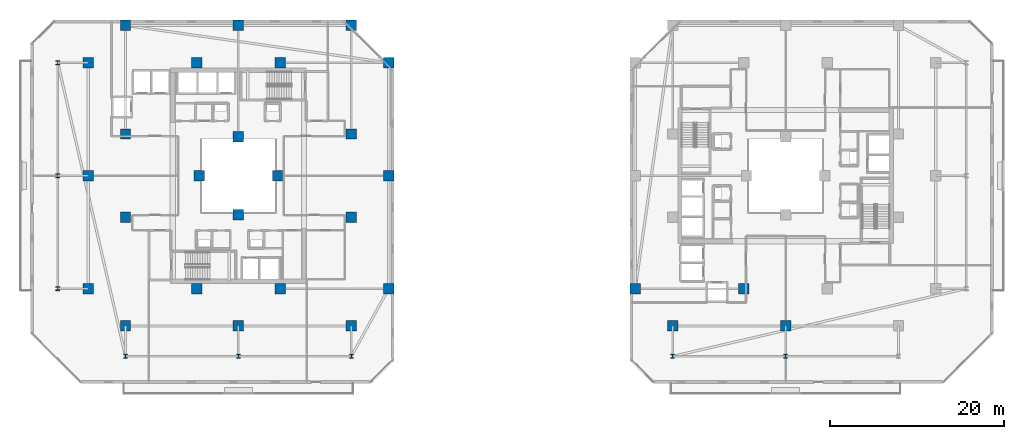
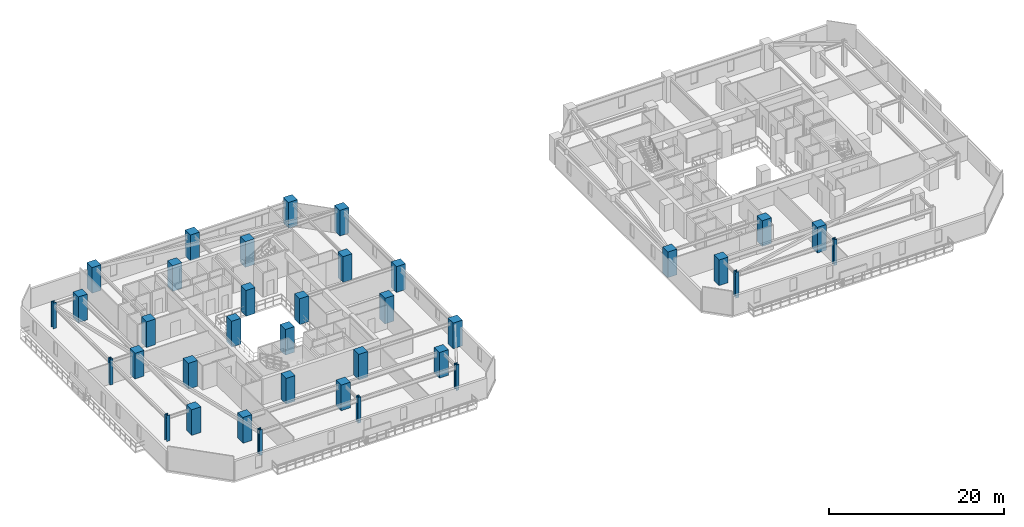
# One storey, part 1 of 31: 36 columns.
"""IFC4 building model written with IfcOpenShell, lengths in metres."""

from ifc_helpers import new_model, si_unit, direction, frame, origin, origin_2d, place, context, subcontext, project, spatial, rectangle, i_section, extrude, material, material_profile, profile_set, type_object, element, save


model = new_model("IFC4")

# Units and contexts
model_context = context("Model", 3, precision=1e-05, world=origin(), true_north=direction((0.0, 1.0)))
body_context = subcontext(model_context, "Body", "Model", "MODEL_VIEW")
ifc_project = project(units=[si_unit("LENGTHUNIT", "METRE"), si_unit("AREAUNIT", "SQUARE_METRE"), si_unit("VOLUMEUNIT", "CUBIC_METRE"), si_unit("PLANEANGLEUNIT", "RADIAN"), si_unit("MASSUNIT", "GRAM", prefix="KILO")], contexts=[model_context])

# Site, building, storey
site_placement = place(None, origin())
site = spatial("IfcSite", under=ifc_project, at=site_placement, CompositionType="ELEMENT")
building_placement = place(site_placement, origin())
building = spatial("IfcBuilding", under=site, at=building_placement, Name="Thornwick Lancets Civic Towers", CompositionType="ELEMENT")
storey_placement = place(building_placement, frame((0.0, 0.0, 126.89990234375)))
storey = spatial("IfcBuildingStorey", under=building, at=storey_placement, Name="L33", CompositionType="ELEMENT", Elevation=126.89990234375)

# Columns
ifc_material_1 = material(Name="Concrete C60/75", Category="concrete")
ifc_material_profile_1 = material_profile(ifc_material_1, rectangle(XDim=1.199951171875, YDim=1.199951171875, at=origin_2d()), Name="RC 1200x1200")
ifc_profile_set_1 = profile_set([ifc_material_profile_1], Name="Concrete C60/75")
column_type_1 = type_object("IfcColumnType", Name="COL_RC_1200", PredefinedType="COLUMN", material=ifc_profile_set_1)
for number, where, z_axis, x_axis, name in (
    (1, (12.5, 9.699951171875, 0.0), (0.0, 0.0, 1.0), (1.0, 0.0, 0.0), "L33 Spine Mega-Column A01"),
    (2, (25.5, 9.699951171875, 0.0), (0.0, 0.0, 1.0), (1.0, 0.0, 0.0), "L33 Spine Mega-Column A02"),
    (3, (38.5, 9.699951171875, 0.0), (0.0, 0.0, 1.0), (1.0, 0.0, 0.0), "L33 Spine Mega-Column A03"),
    (4, (42.800048828125, 14.0, 0.0), (0.0, 0.0, 1.0), (1.0, 0.0, 0.0), "L33 Spine Mega-Column A04"),
    (5, (42.800048828125, 27.0, 0.0), (0.0, 0.0, 1.0), (1.0, 0.0, 0.0), "L33 Spine Mega-Column A05"),
    (6, (42.800048828125, 40.0, 0.0), (0.0, 0.0, 1.0), (1.0, 0.0, 0.0), "L33 Spine Mega-Column A06"),
    (7, (12.5, 44.300048828125, 0.0), (0.0, 0.0, 1.0), (1.0, 0.0, 0.0), "L33 Spine Mega-Column A07"),
    (8, (25.5, 44.300048828125, 0.0), (0.0, 0.0, 1.0), (1.0, 0.0, 0.0), "L33 Spine Mega-Column A08"),
    (9, (38.5, 44.300048828125, 0.0), (0.0, 0.0, 1.0), (1.0, 0.0, 0.0), "L33 Spine Mega-Column A09"),
    (10, (8.199951171875, 14.0, 0.0), (0.0, 0.0, 1.0), (1.0, 0.0, 0.0), "L33 Spine Mega-Column A10"),
    (11, (8.199951171875, 27.0, 0.0), (0.0, 0.0, 1.0), (1.0, 0.0, 0.0), "L33 Spine Mega-Column A11"),
    (12, (8.199951171875, 40.0, 0.0), (0.0, 0.0, 1.0), (1.0, 0.0, 0.0), "L33 Spine Mega-Column A12"),
    (13, (12.5, 22.199951171875, 0.0), (0.0, 0.0, 1.0), (1.0, 0.0, 0.0), "L33 Spine Mega-Column A13"),
    (14, (38.5, 22.199951171875, 0.0), (0.0, 0.0, 1.0), (1.0, 0.0, 0.0), "L33 Spine Mega-Column A14"),
    (15, (12.5, 31.800048828125, 0.0), (0.0, 0.0, 1.0), (1.0, 0.0, 0.0), "L33 Spine Mega-Column A15"),
    (16, (38.5, 31.800048828125, 0.0), (0.0, 0.0, 1.0), (1.0, 0.0, 0.0), "L33 Spine Mega-Column A16"),
    (17, (20.699951171875, 14.0, 0.0), (0.0, 0.0, 1.0), (1.0, 0.0, 0.0), "L33 Spine Mega-Column A17"),
    (18, (30.300048828125, 14.0, 0.0), (0.0, 0.0, 1.0), (1.0, 0.0, 0.0), "L33 Spine Mega-Column A18"),
    (19, (20.699951171875, 40.0, 0.0), (0.0, 0.0, 1.0), (1.0, 0.0, 0.0), "L33 Spine Mega-Column A19"),
    (20, (30.300048828125, 40.0, 0.0), (0.0, 0.0, 1.0), (1.0, 0.0, 0.0), "L33 Spine Mega-Column A20"),
    (21, (25.5, 22.5, 0.0), (0.0, 0.0, 1.0), (1.0, 0.0, 0.0), "L33 Spine Mega-Column A21"),
    (22, (25.5, 31.5, 0.0), (0.0, 0.0, 1.0), (1.0, 0.0, 0.0), "L33 Spine Mega-Column A22"),
    (23, (21.0, 27.0, 0.0), (0.0, 0.0, 1.0), (1.0, 0.0, 0.0), "L33 Spine Mega-Column A23"),
    (24, (30.0, 27.0, 0.0), (0.0, 0.0, 1.0), (1.0, 0.0, 0.0), "L33 Spine Mega-Column A24"),
    (25, (71.199951171875, 14.0, 0.0), (0.0, 0.0, 1.0), (1.0, 0.0, 0.0), "L33 Spine Mega-Column B07"),
    (26, (88.5, 9.699951171875, 0.0), (0.0, 0.0, 1.0), (1.0, 0.0, 0.0), "L33 Spine Mega-Column B11"),
    (27, (75.5, 9.699951171875, 0.0), (0.0, 0.0, 1.0), (1.0, 0.0, 0.0), "L33 Spine Mega-Column B12"),
    (28, (83.699951171875, 14.0, 0.0), (0.0, 0.0, 1.0), (1.0, 0.0, 0.0), "L33 Spine Mega-Column B15"),
):
    element("IfcColumn", number, at=place(storey_placement, frame(where, z_axis=z_axis, x_axis=x_axis)), inside=storey, type_object=column_type_1, Name=name, PredefinedType="COLUMN", context=body_context, shape_type="SweptSolid", body=[
        extrude(rectangle(XDim=1.199951171875, YDim=1.199951171875, at=origin_2d()), origin(), (0.0, 0.0, 1.0), 3.60009765625),
    ])
ifc_material_2 = material(Name="Steel S460M", Category="steel")
ifc_material_profile_2 = material_profile(ifc_material_2, i_section(OverallWidth=0.41845703125, OverallDepth=0.45556640625, WebThickness=0.0419921875, FlangeThickness=0.0673828125, FilletRadius=0.01513671875, at=origin_2d()), Name="UKC 356x406x551")
ifc_profile_set_2 = profile_set([ifc_material_profile_2], Name="Steel S460M")
column_type_2 = type_object("IfcColumnType", Name="COL_UKC_551", PredefinedType="COLUMN", material=ifc_profile_set_2)
for number, where, z_axis, x_axis, name in (
    (29, (12.5, 6.199951171875, 0.0), (0.0, 0.0, 1.0), (1.0, 0.0, 0.0), "L33 Block Perimeter Column A01"),
    (30, (25.5, 6.199951171875, 0.0), (0.0, 0.0, 1.0), (1.0, 0.0, 0.0), "L33 Block Perimeter Column A02"),
    (31, (38.5, 6.199951171875, 0.0), (0.0, 0.0, 1.0), (1.0, 0.0, 0.0), "L33 Block Perimeter Column A03"),
    (32, (4.699951171875, 14.0, 0.0), (0.0, 0.0, 1.0), (1.0, 0.0, 0.0), "L33 Block Perimeter Column A10"),
    (33, (4.699951171875, 27.0, 0.0), (0.0, 0.0, 1.0), (1.0, 0.0, 0.0), "L33 Block Perimeter Column A11"),
    (34, (4.699951171875, 40.0, 0.0), (0.0, 0.0, 1.0), (1.0, 0.0, 0.0), "L33 Block Perimeter Column A12"),
    (35, (88.5, 6.199951171875, 0.0), (0.0, 0.0, 1.0), (1.0, 0.0, 0.0), "L33 Block Perimeter Column B11"),
    (36, (75.5, 6.199951171875, 0.0), (0.0, 0.0, 1.0), (1.0, 0.0, 0.0), "L33 Block Perimeter Column B12"),
):
    element("IfcColumn", number, at=place(storey_placement, frame(where, z_axis=z_axis, x_axis=x_axis)), inside=storey, type_object=column_type_2, Name=name, PredefinedType="COLUMN", context=body_context, shape_type="SweptSolid", body=[
        extrude(i_section(OverallWidth=0.41845703125, OverallDepth=0.45556640625, WebThickness=0.0419921875, FlangeThickness=0.0673828125, FilletRadius=0.01513671875, at=origin_2d()), origin(), (0.0, 0.0, 1.0), 3.60009765625),
    ])

save(model, "model.ifc")
